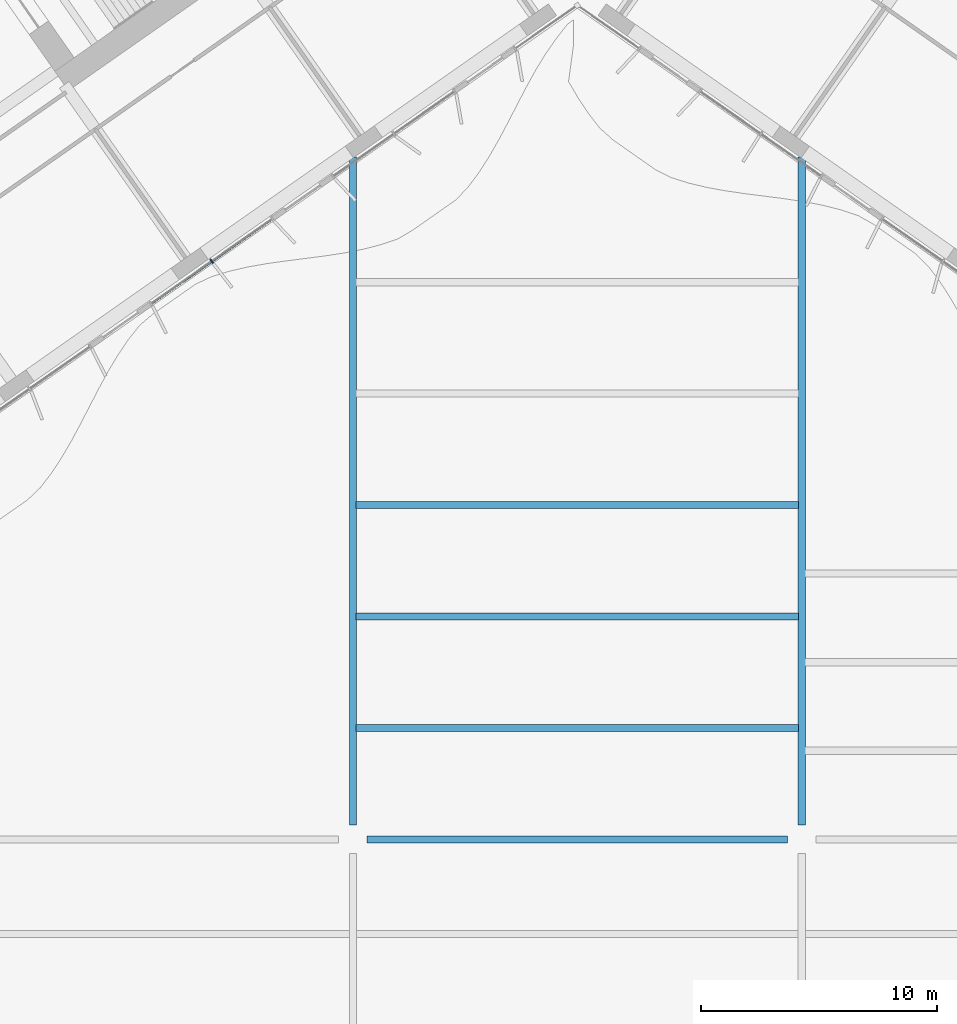
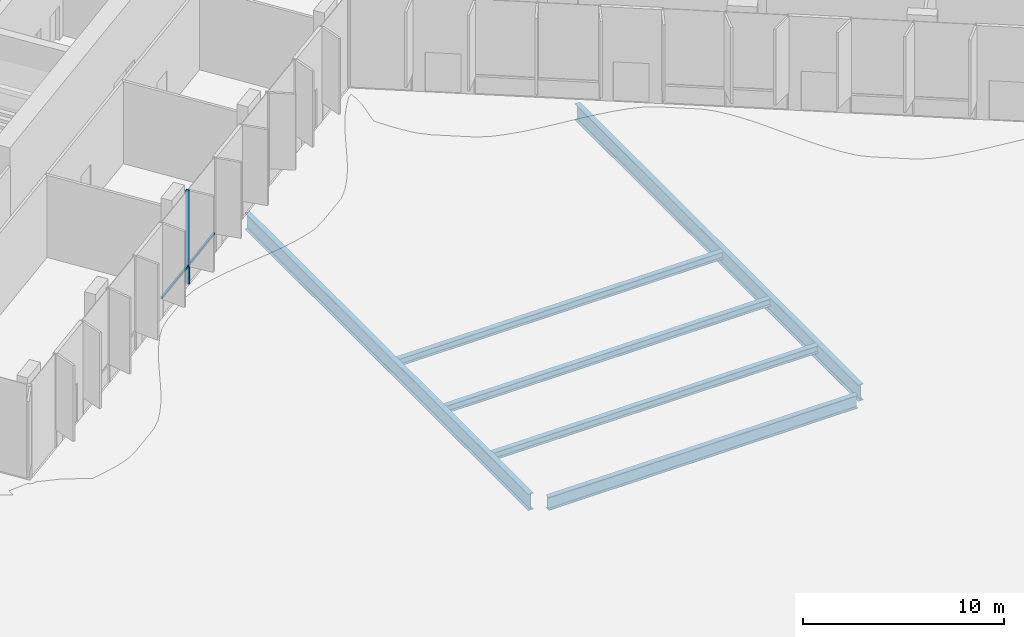
# One storey, part 4 of 27: 6 beams, 2 members, 1 element without a shape of its own.
"""IFC4 building model written with IfcOpenShell, lengths in metres."""

from ifc_helpers import new_model, si_unit, direction, frame, origin, origin_2d, place, context, subcontext, project, spatial, rectangle, i_section, extrude, material, material_profile, profile_set, type_object, element, aggregate, save


model = new_model("IFC4")

# Units and contexts
model_context = context("Model", 3, precision=1e-05, world=origin(), true_north=direction((0.0, 1.0)))
body_context = subcontext(model_context, "Body", "Model", "MODEL_VIEW")
ifc_project = project(units=[si_unit("LENGTHUNIT", "METRE"), si_unit("AREAUNIT", "SQUARE_METRE"), si_unit("VOLUMEUNIT", "CUBIC_METRE"), si_unit("PLANEANGLEUNIT", "RADIAN"), si_unit("MASSUNIT", "GRAM", prefix="KILO")], contexts=[model_context])

# Site, building, storey
site_placement = place(None, origin())
site = spatial("IfcSite", under=ifc_project, at=site_placement, CompositionType="ELEMENT")
building_placement = place(site_placement, origin())
building = spatial("IfcBuilding", under=site, at=building_placement, Name="Tel Ilan Convention Tower", CompositionType="ELEMENT")
storey_placement = place(building_placement, frame((0.0, 0.0, 48.5)))
storey = spatial("IfcBuildingStorey", under=building, at=storey_placement, Name="L07", CompositionType="ELEMENT", Elevation=48.5)

# Curtain wall, members
ifc_material_1 = material(Name="Aluminium, bronze anodised", Category="aluminium")
curtain_wall_type = type_object("IfcCurtainWallType", Name="CW1 UNITISED CURTAIN WALL, HOTEL TINTED GLASS", PredefinedType="NOTDEFINED", material=ifc_material_1)
curtain_wall_placement = place(storey_placement, origin())
curtain_wall = element("IfcCurtainWall", 1, at=curtain_wall_placement, inside=storey, type_object=curtain_wall_type, Name="Curtain wall CW1-10.04", PredefinedType="NOTDEFINED")
ifc_material_2 = material(Name="Aluminium, bronze anodised", Category="aluminium")
ifc_material_profile_1 = material_profile(ifc_material_2, rectangle(XDim=0.06005859375, YDim=0.199951171875, at=origin_2d()), Name="CW MULLION 60x200")
ifc_profile_set_1 = profile_set([ifc_material_profile_1], Name="Aluminium, bronze anodised")
member_type_1 = type_object("IfcMemberType", Name="CW MULLION 60x200", PredefinedType="MULLION", material=ifc_profile_set_1)
member_1_placement = place(storey_placement, frame((-15.47705078125, -23.533203125, 0.0), z_axis=(0.0, 0.0, 1.0), x_axis=(0.819152044289, 0.573576436351, 0.0)))
member_1 = element("IfcMember", 2, at=member_1_placement, type_object=member_type_1, Name="Mullion", PredefinedType="MULLION", context=body_context, shape_type="SweptSolid", body=[
    extrude(rectangle(XDim=0.06005859375, YDim=0.199951171875, at=origin_2d()), origin(), (0.0, 0.0, 1.0), 5.719970703125),
])
ifc_material_3 = material(Name="Aluminium, bronze anodised", Category="aluminium")
ifc_material_profile_2 = material_profile(ifc_material_3, rectangle(XDim=0.10009765625, YDim=0.1201171875, at=origin_2d()), Name="CW TRANSOM 100x120")
ifc_profile_set_2 = profile_set([ifc_material_profile_2], Name="Aluminium, bronze anodised")
member_type_2 = type_object("IfcMemberType", Name="CW TRANSOM 100x120", PredefinedType="USERDEFINED", material=ifc_profile_set_2)
member_2_placement = place(storey_placement, frame((-18.0224609375, -25.3154296875, 1.10009765625), z_axis=(0.819165473709, 0.573557256673, 0.0), x_axis=(-0.573557256673, 0.819165473709, 0.0)))
member_2 = element("IfcMember", 3, at=member_2_placement, type_object=member_type_2, Name="Transom", ObjectType="TRANSOM", PredefinedType="USERDEFINED", context=body_context, shape_type="SweptSolid", body=[
    extrude(rectangle(XDim=0.10009765625, YDim=0.1201171875, at=origin_2d()), origin(), (0.0, 0.0, 1.0), 6.214599609375),
])
aggregate(curtain_wall, [member_1, member_2])

# Beams
ifc_material_4 = material(Name="Steel S355", Category="steel")
ifc_material_profile_3 = material_profile(ifc_material_4, i_section(OverallWidth=0.300048828125, OverallDepth=1.0, WebThickness=0.01904296875, FlangeThickness=0.035888671875, FilletRadius=0.030029296875, at=origin_2d()), Name="HEB 1000")
ifc_profile_set_3 = profile_set([ifc_material_profile_3], Name="Steel S355")
beam_type_1 = type_object("IfcBeamType", Name="Girder HEB 1000 Steel S355", PredefinedType="BEAM", material=ifc_profile_set_3)
for number, where, z_axis, x_axis, name in (
    (4, (-9.5, -47.39990234375, -0.89990234375), (0.0, 1.0, 0.0), (-1.0, 0.0, 0.0), "L07 beam GN1"),
    (5, (9.5, -47.39990234375, -0.89990234375), (0.0, 1.0, 0.0), (-1.0, 0.0, 0.0), "L07 beam GN2"),
):
    element("IfcBeam", number, at=place(storey_placement, frame(where, z_axis=z_axis, x_axis=x_axis)), inside=storey, type_object=beam_type_1, Name=name, PredefinedType="BEAM", context=body_context, shape_type="SweptSolid", body=[
        extrude(i_section(OverallWidth=0.300048828125, OverallDepth=1.0, WebThickness=0.01904296875, FlangeThickness=0.035888671875, FilletRadius=0.030029296875, at=origin_2d()), origin(), (0.0, 0.0, 1.0), 28.277587890625),
    ])
ifc_material_5 = material(Name="Steel S355", Category="steel")
ifc_material_profile_4 = material_profile(ifc_material_5, i_section(OverallWidth=0.300048828125, OverallDepth=0.800048828125, WebThickness=0.017578125, FlangeThickness=0.032958984375, FilletRadius=0.030029296875, at=origin_2d()), Name="HEB 800")
ifc_profile_set_4 = profile_set([ifc_material_profile_4], Name="Steel S355")
beam_type_2 = type_object("IfcBeamType", Name="Girder HEB 800 Steel S355", PredefinedType="BEAM", material=ifc_profile_set_4)
beam_placement = place(storey_placement, frame((-8.89990234375, -48.0, -0.800048828125), z_axis=(1.0, 0.0, 0.0), x_axis=(0.0, 1.0, 0.0)))
element("IfcBeam", 6, at=beam_placement, inside=storey, type_object=beam_type_2, Name="L07 beam GX33-4", PredefinedType="BEAM", context=body_context, shape_type="SweptSolid", body=[
    extrude(i_section(OverallWidth=0.300048828125, OverallDepth=0.800048828125, WebThickness=0.017578125, FlangeThickness=0.032958984375, FilletRadius=0.030029296875, at=origin_2d()), origin(), (0.0, 0.0, 1.0), 17.7998046875),
])
ifc_material_6 = material(Name="Steel S355", Category="steel")
ifc_material_profile_5 = material_profile(ifc_material_6, i_section(OverallWidth=0.300048828125, OverallDepth=0.449951171875, WebThickness=0.013916015625, FlangeThickness=0.02587890625, FilletRadius=0.027099609375, at=origin_2d()), Name="HEB 450")
ifc_profile_set_5 = profile_set([ifc_material_profile_5], Name="Steel S355")
beam_type_3 = type_object("IfcBeamType", Name="Joist HEB 450 Steel S355", PredefinedType="JOIST", material=ifc_profile_set_5)
for number, where, z_axis, x_axis, name in (
    (7, (-9.360107421875, -43.283935546875, -0.625), (1.0, 0.0, 0.0), (0.0, 1.0, 0.0), "L07 beam JN1-1"),
    (8, (-9.360107421875, -38.568115234375, -0.625), (1.0, 0.0, 0.0), (0.0, 1.0, 0.0), "L07 beam JN1-2"),
    (9, (-9.360107421875, -33.851806640625, -0.625), (1.0, 0.0, 0.0), (0.0, 1.0, 0.0), "L07 beam JN1-3"),
):
    element("IfcBeam", number, at=place(storey_placement, frame(where, z_axis=z_axis, x_axis=x_axis)), inside=storey, type_object=beam_type_3, Name=name, PredefinedType="JOIST", context=body_context, shape_type="SweptSolid", body=[
        extrude(i_section(OverallWidth=0.300048828125, OverallDepth=0.449951171875, WebThickness=0.013916015625, FlangeThickness=0.02587890625, FilletRadius=0.027099609375, at=origin_2d()), origin(), (0.0, 0.0, 1.0), 18.72021484375),
    ])

save(model, "model.ifc")
